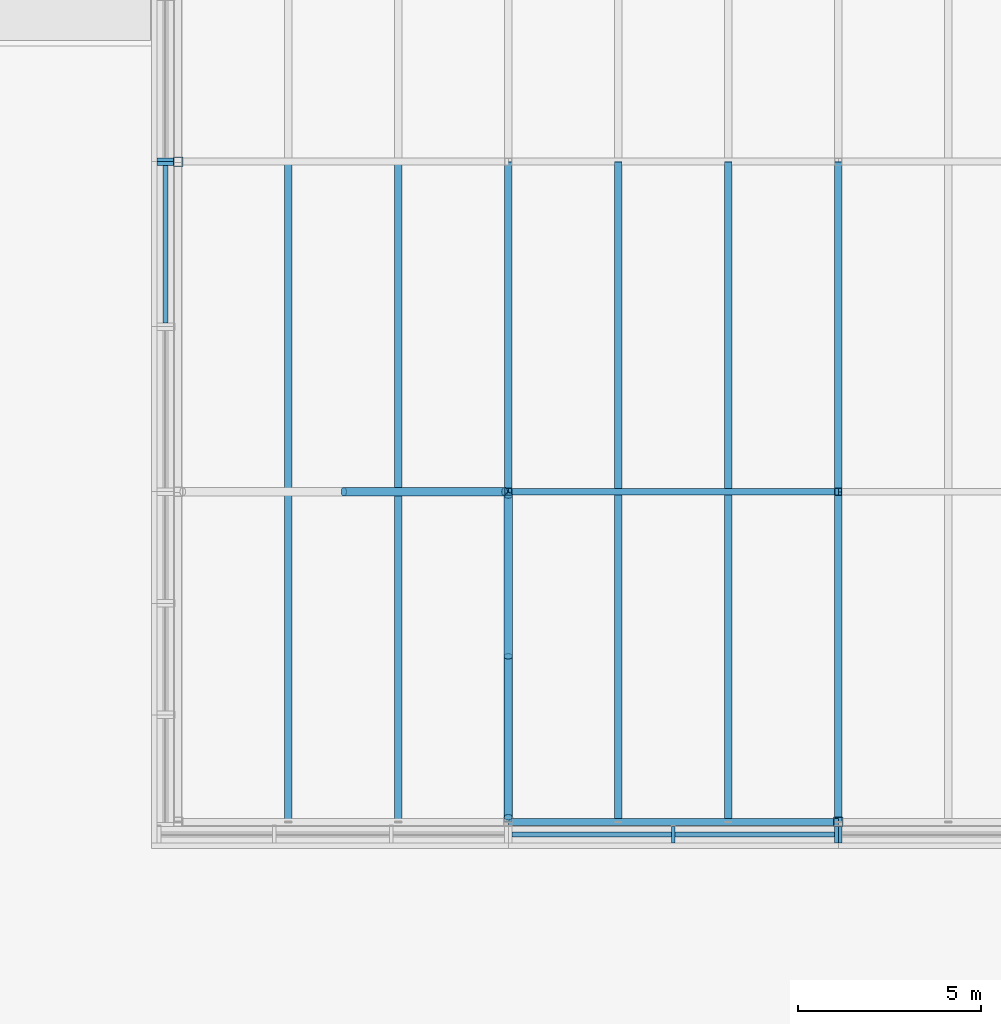
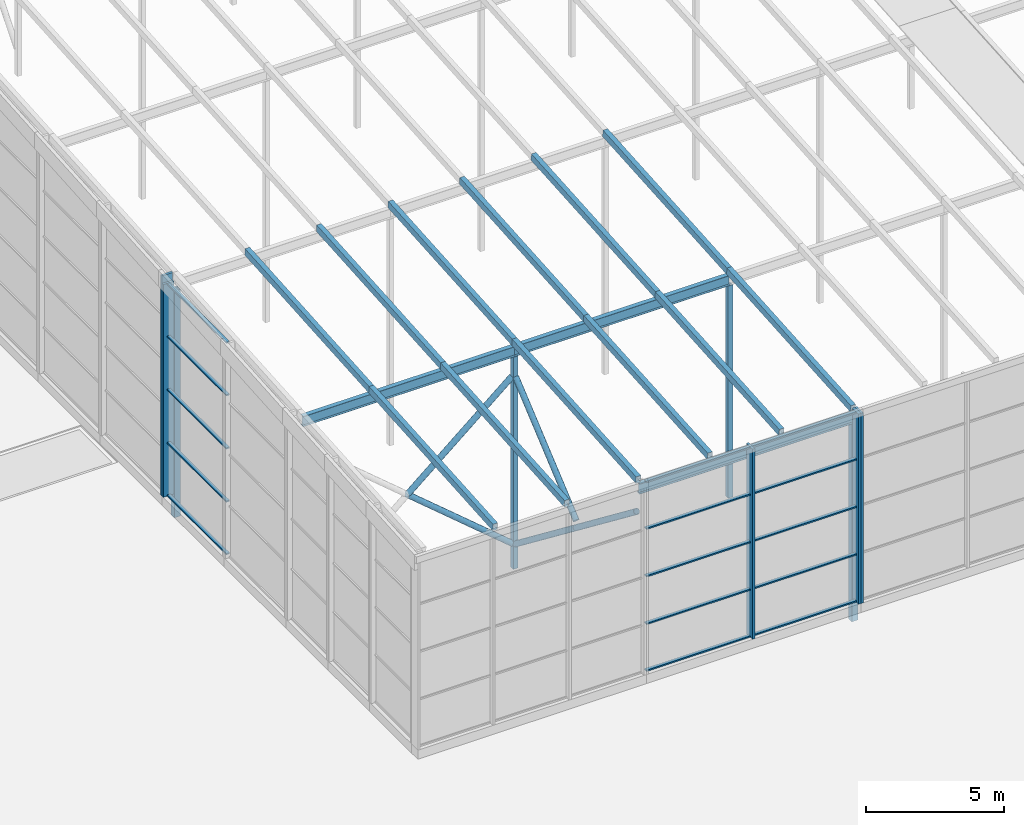
# One storey, part 4 of 84: 41 members, 3 beams, 4 elements without a shape of their own.
"""IFC4 building model written with IfcOpenShell, lengths in metres."""

from ifc_helpers import new_model, si_unit, direction, frame, origin, origin_2d, place, context, subcontext, project, spatial, rectangle, hollow_rectangle, hollow_circle, i_section, extrude, material, material_profile, profile_set, type_object, element, aggregate, save


model = new_model("IFC4")

# Units and contexts
model_context = context("Model", 3, precision=1e-05, world=origin(), true_north=direction((0.0, 1.0)))
body_context = subcontext(model_context, "Body", "Model", "MODEL_VIEW")
ifc_project = project(units=[si_unit("LENGTHUNIT", "METRE"), si_unit("AREAUNIT", "SQUARE_METRE"), si_unit("VOLUMEUNIT", "CUBIC_METRE"), si_unit("PLANEANGLEUNIT", "RADIAN"), si_unit("MASSUNIT", "GRAM", prefix="KILO")], contexts=[model_context])

# Site, building, storey
site_placement = place(None, origin())
site = spatial("IfcSite", under=ifc_project, at=site_placement, CompositionType="ELEMENT")
building_placement = place(site_placement, origin())
building = spatial("IfcBuilding", under=site, at=building_placement, Name="Silverbay Arena", CompositionType="ELEMENT")
storey_placement = place(building_placement, frame((0.0, 0.0, 47.10009765625)))
storey = spatial("IfcBuildingStorey", under=building, at=storey_placement, Name="ROOF", CompositionType="ELEMENT", Elevation=47.10009765625)

# Curtain wall, members
ifc_material_1 = material(Name="Aluminium framed glazing", Category="aluminium")
curtain_wall_type_1 = type_object("IfcCurtainWallType", Name="Curtain wall crown 9000 x 8425", PredefinedType="NOTDEFINED", material=ifc_material_1)
curtain_wall_1_placement = place(storey_placement, origin())
curtain_wall_1 = element("IfcCurtainWall", 1, at=curtain_wall_1_placement, inside=storey, type_object=curtain_wall_type_1, Name="ROOF CROWN CURTAIN WALL south bay 02", PredefinedType="NOTDEFINED")
ifc_material_2 = material(Name="Aluminium", Category="aluminium")
ifc_material_profile_1 = material_profile(ifc_material_2, rectangle(XDim=0.449951171875, YDim=0.10009765625, at=origin_2d()), Name="Mullion 100 x 450")
ifc_profile_set_1 = profile_set([ifc_material_profile_1], Name="Aluminium")
member_type_1 = type_object("IfcMemberType", Name="Mullion 100 x 450", PredefinedType="MULLION", material=ifc_profile_set_1)
placement = place(building_placement, frame((0.0, 0.0, 33.5)))
member_1_placement = place(placement, frame((94.5, 26.64990234375, 14.050048828125), z_axis=(0.0, 0.0, 1.0), x_axis=(0.0, 1.0, 0.0)))
member_1 = element("IfcMember", 2, at=member_1_placement, type_object=member_type_1, Name="CW62 mullion 2", PredefinedType="MULLION", context=body_context, shape_type="SweptSolid", body=[
    extrude(rectangle(XDim=0.449951171875, YDim=0.10009765625, at=origin_2d()), origin(), (0.0, 0.0, 1.0), 8.424560546875),
])
member_2_placement = place(placement, frame((98.949951171875, 26.64990234375, 14.050048828125), z_axis=(0.0, 0.0, 1.0), x_axis=(0.0, 1.0, 0.0)))
member_2 = element("IfcMember", 3, at=member_2_placement, type_object=member_type_1, Name="CW62 mullion 3", PredefinedType="MULLION", context=body_context, shape_type="SweptSolid", body=[
    extrude(rectangle(XDim=0.449951171875, YDim=0.10009765625, at=origin_2d()), origin(), (0.0, 0.0, 1.0), 8.424560546875),
])

# Curtain wall, member
curtain_wall_2_placement = place(storey_placement, origin())
curtain_wall_2 = element("IfcCurtainWall", 4, at=curtain_wall_2_placement, inside=storey, type_object=curtain_wall_type_1, Name="ROOF CROWN CURTAIN WALL south bay 03", PredefinedType="NOTDEFINED")
member_3_placement = place(placement, frame((99.050048828125, 26.64990234375, 14.050048828125), z_axis=(0.0, 0.0, 1.0), x_axis=(0.0, 1.0, 0.0)))
member_3 = element("IfcMember", 5, at=member_3_placement, type_object=member_type_1, Name="CW62 mullion 1", PredefinedType="MULLION", context=body_context, shape_type="SweptSolid", body=[
    extrude(rectangle(XDim=0.449951171875, YDim=0.10009765625, at=origin_2d()), origin(), (0.0, 0.0, 1.0), 8.424560546875),
])
aggregate(curtain_wall_2, [member_3])

ifc_material_3 = material(Name="Aluminium framed glazing", Category="aluminium")
curtain_wall_type_2 = type_object("IfcCurtainWallType", Name="Curtain wall crown 4500 x 9425", PredefinedType="NOTDEFINED", material=ifc_material_3)
curtain_wall_3_placement = place(storey_placement, origin())
curtain_wall_3 = element("IfcCurtainWall", 6, at=curtain_wall_3_placement, inside=storey, type_object=curtain_wall_type_2, Name="ROOF CROWN CURTAIN WALL west bay 05", PredefinedType="NOTDEFINED")
member_4_placement = place(placement, frame((80.64990234375, 44.949951171875, 14.050048828125), z_axis=(0.0, 0.0, 1.0), x_axis=(-1.0, 0.0, 0.0)))
member_4 = element("IfcMember", 7, at=member_4_placement, type_object=member_type_1, Name="CW67 mullion 2", PredefinedType="MULLION", context=body_context, shape_type="SweptSolid", body=[
    extrude(rectangle(XDim=0.449951171875, YDim=0.10009765625, at=origin_2d()), origin(), (0.0, 0.0, 1.0), 9.425048828125),
])

ifc_material_4 = material(Name="Aluminium framed glazing", Category="aluminium")
curtain_wall_type_3 = type_object("IfcCurtainWallType", Name="Curtain wall crown 4500 x 9750", PredefinedType="NOTDEFINED", material=ifc_material_4)
curtain_wall_4_placement = place(storey_placement, origin())
curtain_wall_4 = element("IfcCurtainWall", 8, at=curtain_wall_4_placement, inside=storey, type_object=curtain_wall_type_3, Name="ROOF CROWN CURTAIN WALL west bay 06", PredefinedType="NOTDEFINED")
member_5_placement = place(placement, frame((80.64990234375, 45.050048828125, 14.050048828125), z_axis=(0.0, 0.0, 1.0), x_axis=(-1.0, 0.0, 0.0)))
member_5 = element("IfcMember", 9, at=member_5_placement, type_object=member_type_1, Name="CW68 mullion 1", PredefinedType="MULLION", context=body_context, shape_type="SweptSolid", body=[
    extrude(rectangle(XDim=0.449951171875, YDim=0.10009765625, at=origin_2d()), origin(), (0.0, 0.0, 1.0), 9.75),
])
aggregate(curtain_wall_4, [member_5])

# Members
ifc_material_5 = material(Name="Steel S355", Category="steel")
ifc_material_profile_2 = material_profile(ifc_material_5, hollow_rectangle(XDim=0.199951171875, YDim=0.300048828125, WallThickness=0.00634765625, at=origin_2d()), Name="RHS 300x200x6.3")
ifc_profile_set_2 = profile_set([ifc_material_profile_2], Name="Steel S355")
member_type_2 = type_object("IfcMemberType", Name="Purlin RHS 300x200x6.3", PredefinedType="PURLIN", material=ifc_profile_set_2)
for number, where, z_axis, x_axis, name in (
    (10, (84.0, 27.0, 8.74951171875), (0.0, 0.997402911363, 0.072023832195), (-1.0, 0.0, 0.0), "ROOF PURLIN crown line 02 bay 01"),
    (11, (84.0, 36.0, 9.3994140625), (0.0, 0.997400967367, 0.07205074805), (-1.0, 0.0, 0.0), "ROOF PURLIN crown line 02 bay 02"),
    (12, (87.0, 27.0, 8.74951171875), (0.0, 0.997402911363, 0.072023832195), (-1.0, 0.0, 0.0), "ROOF PURLIN crown line 03 bay 01"),
    (13, (87.0, 36.0, 9.3994140625), (0.0, 0.997400967367, 0.07205074805), (-1.0, 0.0, 0.0), "ROOF PURLIN crown line 03 bay 02"),
    (14, (90.0, 27.0, 8.74951171875), (0.0, 0.997402911363, 0.072023832195), (-1.0, 0.0, 0.0), "ROOF PURLIN crown line 04 bay 01"),
    (15, (90.0, 36.0, 9.3994140625), (0.0, 0.997400967367, 0.07205074805), (-1.0, 0.0, 0.0), "ROOF PURLIN crown line 04 bay 02"),
    (16, (93.0, 27.0, 8.74951171875), (0.0, 0.997402911363, 0.072023832195), (-1.0, 0.0, 0.0), "ROOF PURLIN crown line 05 bay 01"),
    (17, (93.0, 36.0, 9.3994140625), (0.0, 0.997400967367, 0.07205074805), (-1.0, 0.0, 0.0), "ROOF PURLIN crown line 05 bay 02"),
    (18, (96.0, 27.0, 8.74951171875), (0.0, 0.997402911363, 0.072023832195), (-1.0, 0.0, 0.0), "ROOF PURLIN crown line 06 bay 01"),
    (19, (96.0, 36.0, 9.3994140625), (0.0, 0.997400967367, 0.07205074805), (-1.0, 0.0, 0.0), "ROOF PURLIN crown line 06 bay 02"),
    (20, (99.0, 27.0, 8.74951171875), (0.0, 0.997402911363, 0.072023832195), (-1.0, 0.0, 0.0), "ROOF PURLIN crown line 07 bay 01"),
    (21, (99.0, 36.0, 9.3994140625), (0.0, 0.997400967367, 0.07205074805), (-1.0, 0.0, 0.0), "ROOF PURLIN crown line 07 bay 02"),
):
    element("IfcMember", number, at=place(storey_placement, frame(where, z_axis=z_axis, x_axis=x_axis)), inside=storey, type_object=member_type_2, Name=name, PredefinedType="PURLIN", context=body_context, shape_type="SweptSolid", body=[
        extrude(hollow_rectangle(XDim=0.199951171875, YDim=0.300048828125, WallThickness=0.00634765625, at=origin_2d()), origin(), (0.0, 0.0, 1.0), 9.0234375),
    ])

# Beams
ifc_material_6 = material(Name="Steel S355", Category="steel")
ifc_material_profile_3 = material_profile(ifc_material_6, i_section(OverallWidth=0.18994140625, OverallDepth=0.453369140625, WebThickness=0.008544921875, FlangeThickness=0.0126953125, at=origin_2d()), Name="UB 457x191x67")
ifc_profile_set_3 = profile_set([ifc_material_profile_3], Name="Steel S355")
beam_type = type_object("IfcBeamType", Name="Ring beam UB 457x191x67", PredefinedType="BEAM", material=ifc_profile_set_3)
beam_1_placement = place(storey_placement, frame((90.0, 27.0, 8.372314453125), z_axis=(1.0, 0.0, 0.0), x_axis=(0.0, 1.0, 0.0)))
element("IfcBeam", 22, at=beam_1_placement, inside=storey, type_object=beam_type, Name="RING BEAM crown row 01 11-12", PredefinedType="BEAM", context=body_context, shape_type="SweptSolid", body=[
    extrude(i_section(OverallWidth=0.18994140625, OverallDepth=0.453369140625, WebThickness=0.008544921875, FlangeThickness=0.0126953125, at=origin_2d()), origin(), (0.0, 0.0, 1.0), 9.0),
])
beam_2_placement = place(storey_placement, frame((81.094970703125, 36.0, 9.0224609375), z_axis=(1.0, 0.0, 0.0), x_axis=(0.0, 1.0, 0.0)))
element("IfcBeam", 23, at=beam_2_placement, inside=storey, type_object=beam_type, Name="RING BEAM crown row 02 10-11", PredefinedType="BEAM", context=body_context, shape_type="SweptSolid", body=[
    extrude(i_section(OverallWidth=0.18994140625, OverallDepth=0.453369140625, WebThickness=0.008544921875, FlangeThickness=0.0126953125, at=origin_2d()), origin(), (0.0, 0.0, 1.0), 8.905029296875),
])
beam_3_placement = place(storey_placement, frame((90.0, 36.0, 9.0224609375), z_axis=(1.0, 0.0, 0.0), x_axis=(0.0, 1.0, 0.0)))
element("IfcBeam", 24, at=beam_3_placement, inside=storey, type_object=beam_type, Name="RING BEAM crown row 02 11-12", PredefinedType="BEAM", context=body_context, shape_type="SweptSolid", body=[
    extrude(i_section(OverallWidth=0.18994140625, OverallDepth=0.453369140625, WebThickness=0.008544921875, FlangeThickness=0.0126953125, at=origin_2d()), origin(), (0.0, 0.0, 1.0), 9.0),
])

# Members
ifc_material_7 = material(Name="Steel S355", Category="steel")
ifc_material_profile_4 = material_profile(ifc_material_7, hollow_rectangle(XDim=0.199951171875, YDim=0.199951171875, WallThickness=0.008056640625, at=origin_2d()), Name="SHS 200x200x8")
ifc_profile_set_4 = profile_set([ifc_material_profile_4], Name="Steel S355")
member_type_3 = type_object("IfcMemberType", Name="Roof post SHS 200x200x8", PredefinedType="POST", material=ifc_profile_set_4)
for number, where, z_axis, x_axis, name in (
    (25, (90.0, 36.0, -0.60009765625), (0.0, 0.0, 1.0), (1.0, 0.0, 0.0), "ROOF CROWN POST 11 row 02"),
    (26, (99.0, 36.0, -0.60009765625), (0.0, 0.0, 1.0), (1.0, 0.0, 0.0), "ROOF CROWN POST 12 row 02"),
):
    element("IfcMember", number, at=place(storey_placement, frame(where, z_axis=z_axis, x_axis=x_axis)), inside=storey, type_object=member_type_3, Name=name, PredefinedType="POST", context=body_context, shape_type="SweptSolid", body=[
        extrude(hollow_rectangle(XDim=0.199951171875, YDim=0.199951171875, WallThickness=0.008056640625, at=origin_2d()), origin(), (0.0, 0.0, 1.0), 9.395751953125),
    ])
ifc_material_8 = material(Name="Steel S355", Category="steel")
ifc_material_profile_5 = material_profile(ifc_material_8, hollow_rectangle(XDim=0.25, YDim=0.25, WallThickness=0.008056640625, at=origin_2d()), Name="SHS 250x250x8")
ifc_profile_set_5 = profile_set([ifc_material_profile_5], Name="Steel S355")
member_type_4 = type_object("IfcMemberType", Name="Roof post SHS 250x250x8", PredefinedType="POST", material=ifc_profile_set_5)
member_6_placement = place(storey_placement, frame((81.0, 45.0, -0.60009765625), z_axis=(0.0, 0.0, 1.0), x_axis=(1.0, 0.0, 0.0)))
element("IfcMember", 27, at=member_6_placement, inside=storey, type_object=member_type_4, Name="ROOF CROWN POST 10 row 03", PredefinedType="POST", context=body_context, shape_type="SweptSolid", body=[
    extrude(hollow_rectangle(XDim=0.25, YDim=0.25, WallThickness=0.008056640625, at=origin_2d()), origin(), (0.0, 0.0, 1.0), 10.0458984375),
])
member_7_placement = place(storey_placement, frame((99.0, 27.0, -0.60009765625), z_axis=(0.0, 0.0, 1.0), x_axis=(1.0, 0.0, 0.0)))
element("IfcMember", 28, at=member_7_placement, inside=storey, type_object=member_type_4, Name="ROOF CROWN POST 12 row 01", PredefinedType="POST", context=body_context, shape_type="SweptSolid", body=[
    extrude(hollow_rectangle(XDim=0.25, YDim=0.25, WallThickness=0.008056640625, at=origin_2d()), origin(), (0.0, 0.0, 1.0), 8.745849609375),
])

# Member
ifc_material_9 = material(Name="Aluminium", Category="aluminium")
ifc_material_profile_6 = material_profile(ifc_material_9, rectangle(XDim=0.139892578125, YDim=0.06005859375, at=origin_2d()), Name="Transom 60 x 140")
ifc_profile_set_6 = profile_set([ifc_material_profile_6], Name="Aluminium")
member_type_5 = type_object("IfcMemberType", Name="Transom 60 x 140", PredefinedType="USERDEFINED", material=ifc_profile_set_6)
member_8_placement = place(placement, frame((90.10009765625, 26.64990234375, 14.080078125), z_axis=(1.0, 0.0, 0.0), x_axis=(0.0, 1.0, 0.0)))
member_8 = element("IfcMember", 29, at=member_8_placement, type_object=member_type_5, Name="CW62 transom 1.1", ObjectType="TRANSOM", PredefinedType="USERDEFINED", context=body_context, shape_type="SweptSolid", body=[
    extrude(rectangle(XDim=0.139892578125, YDim=0.06005859375, at=origin_2d()), origin(), (0.0, 0.0, 1.0), 4.349853515625),
])

member_9_placement = place(placement, frame((90.10009765625, 26.64990234375, 16.15625), z_axis=(1.0, 0.0, 0.0), x_axis=(0.0, 1.0, 0.0)))
member_9 = element("IfcMember", 30, at=member_9_placement, type_object=member_type_5, Name="CW62 transom 1.2", ObjectType="TRANSOM", PredefinedType="USERDEFINED", context=body_context, shape_type="SweptSolid", body=[
    extrude(rectangle(XDim=0.139892578125, YDim=0.06005859375, at=origin_2d()), origin(), (0.0, 0.0, 1.0), 4.349853515625),
])

member_10_placement = place(placement, frame((90.10009765625, 26.64990234375, 18.262451171875), z_axis=(1.0, 0.0, 0.0), x_axis=(0.0, 1.0, 0.0)))
member_10 = element("IfcMember", 31, at=member_10_placement, type_object=member_type_5, Name="CW62 transom 1.3", ObjectType="TRANSOM", PredefinedType="USERDEFINED", context=body_context, shape_type="SweptSolid", body=[
    extrude(rectangle(XDim=0.139892578125, YDim=0.06005859375, at=origin_2d()), origin(), (0.0, 0.0, 1.0), 4.349853515625),
])

member_11_placement = place(placement, frame((90.10009765625, 26.64990234375, 20.36865234375), z_axis=(1.0, 0.0, 0.0), x_axis=(0.0, 1.0, 0.0)))
member_11 = element("IfcMember", 32, at=member_11_placement, type_object=member_type_5, Name="CW62 transom 1.4", ObjectType="TRANSOM", PredefinedType="USERDEFINED", context=body_context, shape_type="SweptSolid", body=[
    extrude(rectangle(XDim=0.139892578125, YDim=0.06005859375, at=origin_2d()), origin(), (0.0, 0.0, 1.0), 4.349853515625),
])

member_12_placement = place(placement, frame((90.10009765625, 26.64990234375, 22.44482421875), z_axis=(1.0, 0.0, 0.0), x_axis=(0.0, 1.0, 0.0)))
member_12 = element("IfcMember", 33, at=member_12_placement, type_object=member_type_5, Name="CW62 transom 1.5", ObjectType="TRANSOM", PredefinedType="USERDEFINED", context=body_context, shape_type="SweptSolid", body=[
    extrude(rectangle(XDim=0.139892578125, YDim=0.06005859375, at=origin_2d()), origin(), (0.0, 0.0, 1.0), 4.349853515625),
])

member_13_placement = place(placement, frame((94.550048828125, 26.64990234375, 14.080078125), z_axis=(1.0, 0.0, 0.0), x_axis=(0.0, 1.0, 0.0)))
member_13 = element("IfcMember", 34, at=member_13_placement, type_object=member_type_5, Name="CW62 transom 2.1", ObjectType="TRANSOM", PredefinedType="USERDEFINED", context=body_context, shape_type="SweptSolid", body=[
    extrude(rectangle(XDim=0.139892578125, YDim=0.06005859375, at=origin_2d()), origin(), (0.0, 0.0, 1.0), 4.349853515625),
])

member_14_placement = place(placement, frame((94.550048828125, 26.64990234375, 16.15625), z_axis=(1.0, 0.0, 0.0), x_axis=(0.0, 1.0, 0.0)))
member_14 = element("IfcMember", 35, at=member_14_placement, type_object=member_type_5, Name="CW62 transom 2.2", ObjectType="TRANSOM", PredefinedType="USERDEFINED", context=body_context, shape_type="SweptSolid", body=[
    extrude(rectangle(XDim=0.139892578125, YDim=0.06005859375, at=origin_2d()), origin(), (0.0, 0.0, 1.0), 4.349853515625),
])

member_15_placement = place(placement, frame((94.550048828125, 26.64990234375, 18.262451171875), z_axis=(1.0, 0.0, 0.0), x_axis=(0.0, 1.0, 0.0)))
member_15 = element("IfcMember", 36, at=member_15_placement, type_object=member_type_5, Name="CW62 transom 2.3", ObjectType="TRANSOM", PredefinedType="USERDEFINED", context=body_context, shape_type="SweptSolid", body=[
    extrude(rectangle(XDim=0.139892578125, YDim=0.06005859375, at=origin_2d()), origin(), (0.0, 0.0, 1.0), 4.349853515625),
])

member_16_placement = place(placement, frame((94.550048828125, 26.64990234375, 20.36865234375), z_axis=(1.0, 0.0, 0.0), x_axis=(0.0, 1.0, 0.0)))
member_16 = element("IfcMember", 37, at=member_16_placement, type_object=member_type_5, Name="CW62 transom 2.4", ObjectType="TRANSOM", PredefinedType="USERDEFINED", context=body_context, shape_type="SweptSolid", body=[
    extrude(rectangle(XDim=0.139892578125, YDim=0.06005859375, at=origin_2d()), origin(), (0.0, 0.0, 1.0), 4.349853515625),
])

member_17_placement = place(placement, frame((94.550048828125, 26.64990234375, 22.44482421875), z_axis=(1.0, 0.0, 0.0), x_axis=(0.0, 1.0, 0.0)))
member_17 = element("IfcMember", 38, at=member_17_placement, type_object=member_type_5, Name="CW62 transom 2.5", ObjectType="TRANSOM", PredefinedType="USERDEFINED", context=body_context, shape_type="SweptSolid", body=[
    extrude(rectangle(XDim=0.139892578125, YDim=0.06005859375, at=origin_2d()), origin(), (0.0, 0.0, 1.0), 4.349853515625),
])

aggregate(curtain_wall_1, [member_1, member_2, member_8, member_9, member_10, member_11, member_12, member_13, member_14, member_15, member_16, member_17])

member_18_placement = place(placement, frame((80.64990234375, 40.60009765625, 14.080078125), z_axis=(0.0, 1.0, 0.0), x_axis=(-1.0, 0.0, 0.0)))
member_18 = element("IfcMember", 39, at=member_18_placement, type_object=member_type_5, Name="CW67 transom 1.1", ObjectType="TRANSOM", PredefinedType="USERDEFINED", context=body_context, shape_type="SweptSolid", body=[
    extrude(rectangle(XDim=0.139892578125, YDim=0.06005859375, at=origin_2d()), origin(), (0.0, 0.0, 1.0), 4.2998046875),
])

member_19_placement = place(placement, frame((80.64990234375, 40.60009765625, 16.40625), z_axis=(0.0, 1.0, 0.0), x_axis=(-1.0, 0.0, 0.0)))
member_19 = element("IfcMember", 40, at=member_19_placement, type_object=member_type_5, Name="CW67 transom 1.2", ObjectType="TRANSOM", PredefinedType="USERDEFINED", context=body_context, shape_type="SweptSolid", body=[
    extrude(rectangle(XDim=0.139892578125, YDim=0.06005859375, at=origin_2d()), origin(), (0.0, 0.0, 1.0), 4.2998046875),
])

member_20_placement = place(placement, frame((80.64990234375, 40.60009765625, 18.762451171875), z_axis=(0.0, 1.0, 0.0), x_axis=(-1.0, 0.0, 0.0)))
member_20 = element("IfcMember", 41, at=member_20_placement, type_object=member_type_5, Name="CW67 transom 1.3", ObjectType="TRANSOM", PredefinedType="USERDEFINED", context=body_context, shape_type="SweptSolid", body=[
    extrude(rectangle(XDim=0.139892578125, YDim=0.06005859375, at=origin_2d()), origin(), (0.0, 0.0, 1.0), 4.2998046875),
])

member_21_placement = place(placement, frame((80.64990234375, 40.60009765625, 21.11865234375), z_axis=(0.0, 1.0, 0.0), x_axis=(-1.0, 0.0, 0.0)))
member_21 = element("IfcMember", 42, at=member_21_placement, type_object=member_type_5, Name="CW67 transom 1.4", ObjectType="TRANSOM", PredefinedType="USERDEFINED", context=body_context, shape_type="SweptSolid", body=[
    extrude(rectangle(XDim=0.139892578125, YDim=0.06005859375, at=origin_2d()), origin(), (0.0, 0.0, 1.0), 4.2998046875),
])

member_22_placement = place(placement, frame((80.64990234375, 40.60009765625, 23.445068359375), z_axis=(0.0, 1.0, 0.0), x_axis=(-1.0, 0.0, 0.0)))
member_22 = element("IfcMember", 43, at=member_22_placement, type_object=member_type_5, Name="CW67 transom 1.5", ObjectType="TRANSOM", PredefinedType="USERDEFINED", context=body_context, shape_type="SweptSolid", body=[
    extrude(rectangle(XDim=0.139892578125, YDim=0.06005859375, at=origin_2d()), origin(), (0.0, 0.0, 1.0), 4.2998046875),
])

aggregate(curtain_wall_3, [member_4, member_18, member_19, member_20, member_21, member_22])

# Members
ifc_material_10 = material(Name="Steel S355", Category="steel")
ifc_material_profile_7 = material_profile(ifc_material_10, hollow_circle(Radius=0.122314453125, WallThickness=0.00634765625, at=origin_2d()), Name="CHS 244.5x6.3")
ifc_profile_set_7 = profile_set([ifc_material_profile_7], Name="Steel S355")
member_type_6 = type_object("IfcMemberType", Name="Vertical bracing CHS 244.5x6.3", PredefinedType="BRACE", material=ifc_profile_set_7)
member_23_placement = place(storey_placement, frame((85.512451171875, 36.0, 4.19775390625), z_axis=(0.764627563556, 0.0, 0.644472411395), x_axis=(0.0, 1.0, 0.0)))
element("IfcMember", 44, at=member_23_placement, inside=storey, type_object=member_type_6, Name="ROOF CROWN BRACING S bay 01 Ab", PredefinedType="BRACE", context=body_context, shape_type="SweptSolid", body=[
    extrude(hollow_circle(Radius=0.122314453125, WallThickness=0.00634765625, at=origin_2d()), origin(), (0.0, 0.0, 1.0), 5.738037109375),
])
member_24_placement = place(storey_placement, frame((85.512451171875, 36.0, 4.19775390625), z_axis=(0.764648530519, 0.0, -0.644447534541), x_axis=(0.0, 1.0, 0.0)))
element("IfcMember", 45, at=member_24_placement, inside=storey, type_object=member_type_6, Name="ROOF CROWN BRACING S bay 01 Bb", PredefinedType="BRACE", context=body_context, shape_type="SweptSolid", body=[
    extrude(hollow_circle(Radius=0.122314453125, WallThickness=0.00634765625, at=origin_2d()), origin(), (0.0, 0.0, 1.0), 5.73779296875),
])
member_25_placement = place(storey_placement, frame((90.0, 31.512451171875, 4.194091796875), z_axis=(0.0, 0.76494210369, 0.644099043628), x_axis=(-1.0, 0.0, 0.0)))
element("IfcMember", 46, at=member_25_placement, inside=storey, type_object=member_type_6, Name="ROOF CROWN BRACING W bay 01 Ab", PredefinedType="BRACE", context=body_context, shape_type="SweptSolid", body=[
    extrude(hollow_circle(Radius=0.122314453125, WallThickness=0.00634765625, at=origin_2d()), origin(), (0.0, 0.0, 1.0), 5.735595703125),
])
member_26_placement = place(storey_placement, frame((90.0, 27.125, 7.254638671875), z_axis=(0.0, 0.792428882021, -0.60996431612), x_axis=(-1.0, 0.0, 0.0)))
element("IfcMember", 47, at=member_26_placement, inside=storey, type_object=member_type_6, Name="ROOF CROWN BRACING W bay 01 Ba", PredefinedType="BRACE", context=body_context, shape_type="SweptSolid", body=[
    extrude(hollow_circle(Radius=0.122314453125, WallThickness=0.00634765625, at=origin_2d()), origin(), (0.0, 0.0, 1.0), 5.53662109375),
])
member_27_placement = place(storey_placement, frame((90.0, 31.512451171875, 3.87744140625), z_axis=(0.0, 0.792407568708, -0.60999200409), x_axis=(-1.0, 0.0, 0.0)))
element("IfcMember", 48, at=member_27_placement, inside=storey, type_object=member_type_6, Name="ROOF CROWN BRACING W bay 01 Bb", PredefinedType="BRACE", context=body_context, shape_type="SweptSolid", body=[
    extrude(hollow_circle(Radius=0.122314453125, WallThickness=0.00634765625, at=origin_2d()), origin(), (0.0, 0.0, 1.0), 5.536865234375),
])

save(model, "model.ifc")
